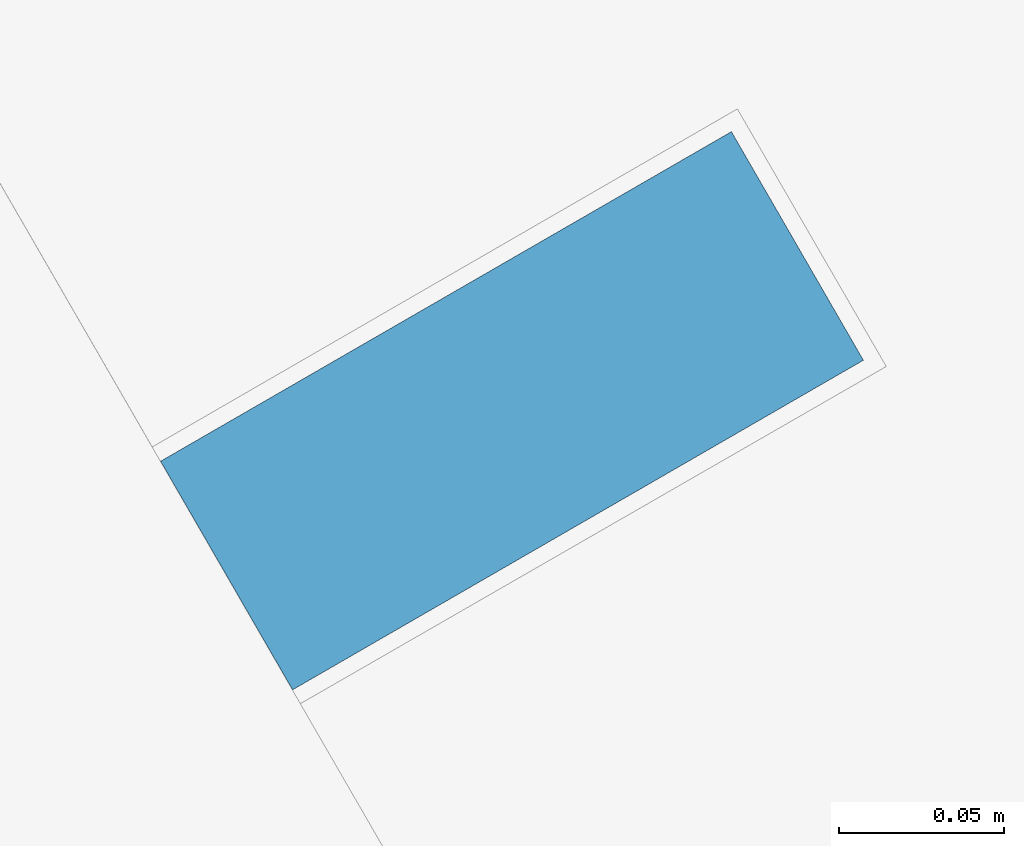
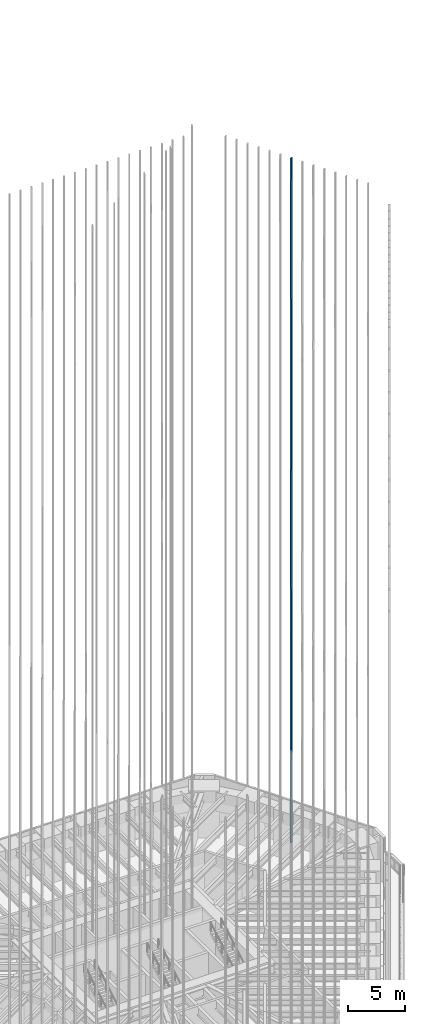
# One storey, part 193 of 228: 1 member, 1 element without a shape of its own.
"""IFC4 building model written with IfcOpenShell, lengths in metres."""

import ifcopenshell
import ifcopenshell.guid

model = None  # the IFC model being written
_history = None  # IfcOwnerHistory: only IFC2X3 demands one
_inside = {}  # id of a spatial element -> (the spatial element, [elements in it])
_under = {}  # id of a project, library or spatial element -> (it, [spatial elements below it])
_declared = {}  # id of a project -> (the project, [libraries it declares])
_typed = {}  # id of a type object -> (the type object, [elements of that type])
_made_of = {}  # id of a material, layer set ... -> (it, [elements and type objects made of it])


def new_model(schema):
    """Start an empty IFC model of exactly this schema.

    Asked for "IFC4X3", IfcOpenShell would pick the latest addendum, in which some entities
    have other attributes; the version numbers below select the first issue.
    IFC2X3 requires an IfcOwnerHistory on every rooted entity: one is made here for all.
    """
    global model, _history
    if schema == "IFC4X3":
        model = ifcopenshell.file(schema_version=(4, 3, 0, 0))
    else:
        model = ifcopenshell.file(schema=schema)
    _inside.clear()
    _under.clear()
    _declared.clear()
    _typed.clear()
    _made_of.clear()
    _history = None
    if model.schema == "IFC2X3":
        org = make("IfcOrganization", Name="unknown")
        user = make(
            "IfcPersonAndOrganization",
            ThePerson=make("IfcPerson", FamilyName="unknown"),
            TheOrganization=org,
        )
        app = make(
            "IfcApplication",
            ApplicationDeveloper=org,
            Version="unknown",
            ApplicationFullName="unknown",
            ApplicationIdentifier="unknown",
        )
        _history = make(
            "IfcOwnerHistory",
            OwningUser=user,
            OwningApplication=app,
            ChangeAction="ADDED",
            CreationDate=0,
        )
    return model


def make(cls, **values):
    """One entity of the class cls with the attributes given. An attribute that is None is left unset."""
    return model.create_entity(
        cls, **{name: value for name, value in values.items() if value is not None}
    )


def rooted(cls, **values):
    """An entity with a GlobalId (a new one), such as an element, a storey or a relation."""
    return make(cls, GlobalId=ifcopenshell.guid.new(), OwnerHistory=_history, **values)


def si_unit(unit_type, name, prefix=None):
    """IfcSIUnit, for example si_unit("LENGTHUNIT", "METRE", prefix="MILLI")."""
    return make("IfcSIUnit", UnitType=unit_type, Prefix=prefix, Name=name)


def assignment(units):
    """IfcUnitAssignment: the units of a project."""
    return None if units is None else make("IfcUnitAssignment", Units=units)


def point(xyz):
    """IfcCartesianPoint."""
    return None if xyz is None else make("IfcCartesianPoint", Coordinates=xyz)


def direction(xyz):
    """IfcDirection."""
    return None if xyz is None else make("IfcDirection", DirectionRatios=xyz)


def frame(location, z_axis=None, x_axis=None):
    """IfcAxis2Placement3D, a coordinate frame: its origin and axes. An axis left out is left unset."""
    return make(
        "IfcAxis2Placement3D",
        Location=point(location),
        Axis=direction(z_axis),
        RefDirection=direction(x_axis),
    )


def frame_2d(location, x_axis=None):
    """IfcAxis2Placement2D, a coordinate frame in the plane: its origin and x axis."""
    return make(
        "IfcAxis2Placement2D", Location=point(location), RefDirection=direction(x_axis)
    )


def origin():
    """The frame at (0, 0, 0) with its axes left unset."""
    return frame((0.0, 0.0, 0.0))


def origin_2d():
    """The frame at (0, 0) in the plane with its x axis left unset."""
    return frame_2d((0.0, 0.0))


def place(relative_to, where):
    """IfcLocalPlacement: puts the frame where relative to a parent placement (None: the world)."""
    return make(
        "IfcLocalPlacement", PlacementRelTo=relative_to, RelativePlacement=where
    )


def context(
    kind, dimensions, precision=None, world=None, true_north=None, identifier=None
):
    """IfcGeometricRepresentationContext, for example the 3D "Model" context."""
    return make(
        "IfcGeometricRepresentationContext",
        ContextIdentifier=identifier,
        ContextType=kind,
        CoordinateSpaceDimension=dimensions,
        Precision=precision,
        WorldCoordinateSystem=world,
        TrueNorth=true_north,
    )


def subcontext(parent, identifier, kind, view, scale=None):
    """IfcGeometricRepresentationSubContext, for example "Body" below "Model"."""
    return make(
        "IfcGeometricRepresentationSubContext",
        ContextIdentifier=identifier,
        ContextType=kind,
        ParentContext=parent,
        TargetScale=scale,
        TargetView=view,
    )


def project(units=None, contexts=None):
    """IfcProject with its units and contexts."""
    return rooted(
        "IfcProject",
        Name="project",
        RepresentationContexts=contexts,
        UnitsInContext=assignment(units),
    )


def spatial(cls, under=None, at=None, **own):
    """A site, building, storey or space (cls), placed at a placement, below another one or the project."""
    s = rooted(cls, ObjectPlacement=at, **own)
    if under is not None:
        _under.setdefault(under.id(), (under, []))[1].append(s)
    return s


def profile(cls, at=None, kind="AREA", **sizes):
    """A parametric profile (cls). Its sizes go by their IFC names, for example OverallWidth=200.0."""
    return make(cls, ProfileType=kind, Position=at, **sizes)


def rectangle(**sizes):
    """IfcRectangleProfileDef."""
    return profile("IfcRectangleProfileDef", **sizes)


def extrude(swept, where, along, depth):
    """IfcExtrudedAreaSolid: the profile swept, set in the frame where, extruded along a direction by depth."""
    return make(
        "IfcExtrudedAreaSolid",
        SweptArea=swept,
        Position=where,
        ExtrudedDirection=direction(along),
        Depth=depth,
    )


def shape(context_of_items, identifier, shape_type, items):
    """IfcShapeRepresentation: the items that make up one representation, for example the "Body"."""
    return make(
        "IfcShapeRepresentation",
        ContextOfItems=context_of_items,
        RepresentationIdentifier=identifier,
        RepresentationType=shape_type,
        Items=items,
    )


def material(Name=None, Category=None):
    """IfcMaterial."""
    return make("IfcMaterial", Name=Name, Category=Category)


def material_profile(
    of_material, cross_section, Name=None, Category=None, Priority=None
):
    """IfcMaterialProfile: a cross section and its material."""
    return make(
        "IfcMaterialProfile",
        Name=Name,
        Material=of_material,
        Profile=cross_section,
        Priority=Priority,
        Category=Category,
    )


def profile_set(profiles, Name=None, composite=None):
    """IfcMaterialProfileSet."""
    return make(
        "IfcMaterialProfileSet",
        Name=Name,
        MaterialProfiles=profiles,
        CompositeProfile=composite,
    )


def made_of(thing, what):
    """Note that an element or type object is made of a material, layer set ...; save() writes the relation."""
    if what is not None:
        _made_of.setdefault(what.id(), (what, []))[1].append(thing)
    return thing


def type_object(cls, material=None, **own):
    """A type object (cls), such as IfcWallType, which elements share."""
    return made_of(rooted(cls, **own), material)


def element(
    cls,
    number,
    at=None,
    inside=None,
    cuts=None,
    type_object=None,
    material=None,
    context=None,
    identifier="Body",
    shape_type=None,
    held_by="IfcProductDefinitionShape",
    body=None,
    shapes=None,
    **own,
):
    """One element of the class cls, such as IfcWall. Its Tag is "e" and its number.

    at: its placement. inside: the storey or other place that contains it. cuts: it is an
    opening in that element (IfcRelVoidsElement). A single representation is given by context,
    identifier, shape_type and body (its items); several are given by shapes. held_by: the class
    of the entity that holds the representations. save() writes the other relations.
    """
    e = rooted(cls, Tag="e%d" % number, ObjectPlacement=at, **own)
    if body is not None:
        shapes = [shape(context, identifier, shape_type, body)]
    if shapes is not None:
        e.Representation = make(held_by, Representations=shapes)
    if inside is not None:
        _inside.setdefault(inside.id(), (inside, []))[1].append(e)
    if cuts is not None:
        rooted(
            "IfcRelVoidsElement", RelatingBuildingElement=cuts, RelatedOpeningElement=e
        )
    if type_object is not None:
        _typed.setdefault(type_object.id(), (type_object, []))[1].append(e)
    return made_of(e, material)


def aggregate(whole, parts):
    """IfcRelAggregates: a whole, such as a stair, and the parts it consists of."""
    return rooted("IfcRelAggregates", RelatingObject=whole, RelatedObjects=parts)


def save(model, path):
    """Write the relations noted so far, then the file.

    IfcRelAggregates (storeys below a building ...), IfcRelContainedInSpatialStructure (elements
    in a storey), IfcRelDefinesByType, IfcRelAssociatesMaterial and IfcRelDeclares: one each for
    every whole, place, type object, material and project.
    """
    for whole, parts in _under.values():
        aggregate(whole, parts)
    for where, things in _inside.values():
        rooted(
            "IfcRelContainedInSpatialStructure",
            RelatedElements=things,
            RelatingStructure=where,
        )
    for kind, things in _typed.values():
        rooted("IfcRelDefinesByType", RelatedObjects=things, RelatingType=kind)
    for what, things in _made_of.values():
        rooted("IfcRelAssociatesMaterial", RelatedObjects=things, RelatingMaterial=what)
    for by, libraries in _declared.values():
        rooted("IfcRelDeclares", RelatingContext=by, RelatedDefinitions=libraries)
    model.write(path)


model = new_model("IFC4")

# Units and contexts
model_context = context("Model", 3, precision=1e-05, world=origin(), true_north=direction((0.0, 1.0)))
body_context = subcontext(model_context, "Body", "Model", "MODEL_VIEW")
ifc_project = project(units=[si_unit("LENGTHUNIT", "METRE"), si_unit("AREAUNIT", "SQUARE_METRE"), si_unit("VOLUMEUNIT", "CUBIC_METRE"), si_unit("PLANEANGLEUNIT", "RADIAN"), si_unit("MASSUNIT", "GRAM", prefix="KILO")], contexts=[model_context])

# Site, building, storey
site_placement = place(None, origin())
site = spatial("IfcSite", under=ifc_project, at=site_placement, CompositionType="ELEMENT")
building_placement = place(site_placement, origin())
building = spatial("IfcBuilding", under=site, at=building_placement, Name="Sandreach Pilgrim Tower", CompositionType="ELEMENT")
storey_placement = place(building_placement, frame((0.0, 0.0, 178.199951171875)))
storey = spatial("IfcBuildingStorey", under=building, at=storey_placement, Name="L44", CompositionType="ELEMENT", Elevation=178.199951171875)

# Curtain wall, member
ifc_material_1 = material(Name="Aluminium framed curtain wall", Category="aluminium")
curtain_wall_type = type_object("IfcCurtainWallType", Name="Upper hotel tower curtain wall", PredefinedType="NOTDEFINED", material=ifc_material_1)
curtain_wall_placement = place(storey_placement, origin())
curtain_wall = element("IfcCurtainWall", 1, at=curtain_wall_placement, inside=storey, type_object=curtain_wall_type, Name="CW-3 L44 NE", PredefinedType="NOTDEFINED")
ifc_material_2 = material(Name="Extruded terracotta on aluminium core", Category="masonry")
ifc_material_profile = material_profile(ifc_material_2, rectangle(XDim=0.080078125, YDim=0.199951171875, at=origin_2d()), Name="TBE 80X200")
ifc_profile_set = profile_set([ifc_material_profile], Name="Extruded terracotta on aluminium core")
member_type = type_object("IfcMemberType", Name="Terracotta baguette east", PredefinedType="USERDEFINED", material=ifc_profile_set)
member_placement = place(storey_placement, frame((23.040283203125, 13.943359375, 0.0), z_axis=(0.0, 0.0, 1.0), x_axis=(0.5, -0.866025403784, 0.0)))
member = element("IfcMember", 2, at=member_placement, type_object=member_type, Name="Baguette Z3 NE07", ObjectType="BAGUETTE", PredefinedType="USERDEFINED", context=body_context, shape_type="SweptSolid", body=[
    extrude(rectangle(XDim=0.080078125, YDim=0.199951171875, at=origin_2d()), origin(), (0.0, 0.0, 1.0), 73.239990234375),
])
aggregate(curtain_wall, [member])

save(model, "model.ifc")
